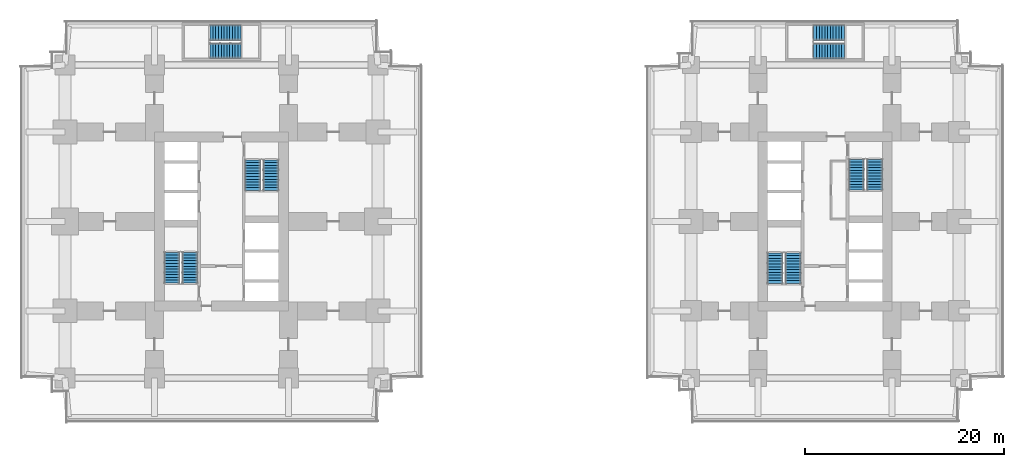
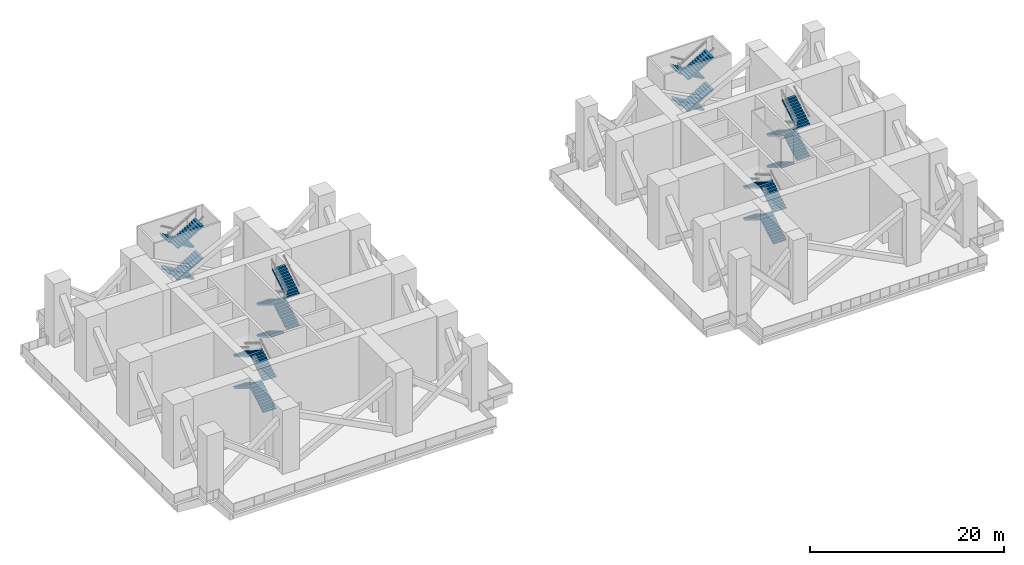
# One storey, part 6 of 12: 24 stair flights, 6 elements without a shape of their own.
"""IFC4 building model written with IfcOpenShell, lengths in metres."""

from ifc_helpers import new_model, si_unit, direction, frame, origin, place, context, subcontext, project, spatial, polyline, outline, extrude, material, type_object, element, aggregate, save


model = new_model("IFC4")

# Units and contexts
model_context = context("Model", 3, precision=1e-05, world=origin(), true_north=direction((0.0, 1.0)))
body_context = subcontext(model_context, "Body", "Model", "MODEL_VIEW")
ifc_project = project(units=[si_unit("LENGTHUNIT", "METRE"), si_unit("AREAUNIT", "SQUARE_METRE"), si_unit("VOLUMEUNIT", "CUBIC_METRE"), si_unit("PLANEANGLEUNIT", "RADIAN"), si_unit("MASSUNIT", "GRAM", prefix="KILO")], contexts=[model_context])

# Site, building, storey
site_placement = place(None, origin())
site = spatial("IfcSite", under=ifc_project, at=site_placement, CompositionType="ELEMENT")
building_placement = place(site_placement, origin())
building = spatial("IfcBuilding", under=site, at=building_placement, Name="Namib Vertical Campus", CompositionType="ELEMENT")
storey_placement = place(building_placement, frame((0.0, 0.0, 77.0)))
storey = spatial("IfcBuildingStorey", under=building, at=storey_placement, Name="L18", CompositionType="ELEMENT", Elevation=77.0)

# Stair, stair flights
ifc_material_1 = material(Name="Concrete C40/50 precast", Category="concrete")
stair_type_1 = type_object("IfcStairType", Name="Exit stair 8000 rise 48 risers 3350 wide", PredefinedType="HALF_TURN_STAIR", material=ifc_material_1)
stair_1_placement = place(storey_placement, origin())
stair_1 = element("IfcStair", 1, at=stair_1_placement, inside=storey, type_object=stair_type_1, Name="Exit stair A-S1 L18", PredefinedType="HALF_TURN_STAIR")
ifc_material_2 = material(Name="Concrete C40/50 precast", Category="concrete")
stair_flight_type_1 = type_object("IfcStairFlightType", Name="Stair flight 12 risers 167 1525 wide", PredefinedType="STRAIGHT", material=ifc_material_2)
stair_flight_1_placement = place(storey_placement, frame((17.08740234375, 14.050048828125, 0.0), z_axis=(0.0, 0.0, 1.0), x_axis=(0.0, 1.0, 0.0)))
stair_flight_1 = element("IfcStairFlight", 2, at=stair_flight_1_placement, type_object=stair_flight_type_1, Name="A-S1 flight 1", NumberOfRisers=12, NumberOfTreads=11, PredefinedType="STRAIGHT", RiserHeight=0.166666667, TreadLength=0.28, context=body_context, shape_type="SweptSolid", body=[
    extrude(outline(polyline([(0.0, 0.0), (0.0, 0.166748046875), (0.280029296875, 0.166748046875), (0.280029296875, 0.333251953125), (0.56005859375, 0.333251953125), (0.56005859375, 0.5), (0.840087890625, 0.5), (0.840087890625, 0.666748046875), (1.1201171875, 0.666748046875), (1.1201171875, 0.833251953125), (1.39990234375, 0.833251953125), (1.39990234375, 1.0), (1.679931640625, 1.0), (1.679931640625, 1.166748046875), (1.9599609375, 1.166748046875), (1.9599609375, 1.333251953125), (2.239990234375, 1.333251953125), (2.239990234375, 1.5), (2.52001953125, 1.5), (2.52001953125, 1.666748046875), (2.800048828125, 1.666748046875), (2.800048828125, 1.833251953125), (3.080078125, 1.833251953125), (3.080078125, 2.0), (3.080078125, 1.658935546875), (0.29296875, 0.0), (0.0, 0.0)])), frame((0.0, 0.762451171875, 0.0), z_axis=(0.0, -1.0, 0.0), x_axis=(1.0, 0.0, 0.0)), (0.0, 0.0, 1.0), 1.52490234375),
])
stair_flight_2_placement = place(storey_placement, frame((15.262451171875, 17.1298828125, 2.0), z_axis=(0.0, 0.0, 1.0), x_axis=(0.0, -1.0, 0.0)))
stair_flight_2 = element("IfcStairFlight", 3, at=stair_flight_2_placement, type_object=stair_flight_type_1, Name="A-S1 flight 2", NumberOfRisers=12, NumberOfTreads=11, PredefinedType="STRAIGHT", RiserHeight=0.166666667, TreadLength=0.28, context=body_context, shape_type="SweptSolid", body=[
    extrude(outline(polyline([(0.0, 0.0), (0.0, 0.166748046875), (0.280029296875, 0.166748046875), (0.280029296875, 0.333251953125), (0.56005859375, 0.333251953125), (0.56005859375, 0.5), (0.840087890625, 0.5), (0.840087890625, 0.666748046875), (1.1201171875, 0.666748046875), (1.1201171875, 0.833251953125), (1.39990234375, 0.833251953125), (1.39990234375, 1.0), (1.679931640625, 1.0), (1.679931640625, 1.166748046875), (1.9599609375, 1.166748046875), (1.9599609375, 1.333251953125), (2.239990234375, 1.333251953125), (2.239990234375, 1.5), (2.52001953125, 1.5), (2.52001953125, 1.666748046875), (2.800048828125, 1.666748046875), (2.800048828125, 1.833251953125), (3.080078125, 1.833251953125), (3.080078125, 2.0), (3.080078125, 1.658935546875), (0.29296875, 0.0), (0.0, 0.0)])), frame((0.0, 0.762451171875, 0.0), z_axis=(0.0, -1.0, 0.0), x_axis=(1.0, 0.0, 0.0)), (0.0, 0.0, 1.0), 1.52490234375),
])
stair_flight_3_placement = place(storey_placement, frame((17.08740234375, 14.050048828125, 4.0), z_axis=(0.0, 0.0, 1.0), x_axis=(0.0, 1.0, 0.0)))
stair_flight_3 = element("IfcStairFlight", 4, at=stair_flight_3_placement, type_object=stair_flight_type_1, Name="A-S1 flight 3", NumberOfRisers=12, NumberOfTreads=11, PredefinedType="STRAIGHT", RiserHeight=0.166666667, TreadLength=0.28, context=body_context, shape_type="SweptSolid", body=[
    extrude(outline(polyline([(0.0, 0.0), (0.0, 0.166748046875), (0.280029296875, 0.166748046875), (0.280029296875, 0.333251953125), (0.56005859375, 0.333251953125), (0.56005859375, 0.5), (0.840087890625, 0.5), (0.840087890625, 0.666748046875), (1.1201171875, 0.666748046875), (1.1201171875, 0.833251953125), (1.39990234375, 0.833251953125), (1.39990234375, 1.0), (1.679931640625, 1.0), (1.679931640625, 1.166748046875), (1.9599609375, 1.166748046875), (1.9599609375, 1.333251953125), (2.239990234375, 1.333251953125), (2.239990234375, 1.5), (2.52001953125, 1.5), (2.52001953125, 1.666748046875), (2.800048828125, 1.666748046875), (2.800048828125, 1.833251953125), (3.080078125, 1.833251953125), (3.080078125, 2.0), (3.080078125, 1.658935546875), (0.29296875, 0.0), (0.0, 0.0)])), frame((0.0, 0.762451171875, 0.0), z_axis=(0.0, -1.0, 0.0), x_axis=(1.0, 0.0, 0.0)), (0.0, 0.0, 1.0), 1.52490234375),
])
stair_flight_4_placement = place(storey_placement, frame((15.262451171875, 17.1298828125, 6.0), z_axis=(0.0, 0.0, 1.0), x_axis=(0.0, -1.0, 0.0)))
stair_flight_4 = element("IfcStairFlight", 5, at=stair_flight_4_placement, type_object=stair_flight_type_1, Name="A-S1 flight 4", NumberOfRisers=12, NumberOfTreads=11, PredefinedType="STRAIGHT", RiserHeight=0.166666667, TreadLength=0.28, context=body_context, shape_type="SweptSolid", body=[
    extrude(outline(polyline([(0.0, 0.0), (0.0, 0.166748046875), (0.280029296875, 0.166748046875), (0.280029296875, 0.333251953125), (0.56005859375, 0.333251953125), (0.56005859375, 0.5), (0.840087890625, 0.5), (0.840087890625, 0.666748046875), (1.1201171875, 0.666748046875), (1.1201171875, 0.833251953125), (1.39990234375, 0.833251953125), (1.39990234375, 1.0), (1.679931640625, 1.0), (1.679931640625, 1.166748046875), (1.9599609375, 1.166748046875), (1.9599609375, 1.333251953125), (2.239990234375, 1.333251953125), (2.239990234375, 1.5), (2.52001953125, 1.5), (2.52001953125, 1.666748046875), (2.800048828125, 1.666748046875), (2.800048828125, 1.833251953125), (3.080078125, 1.833251953125), (3.080078125, 2.0), (3.080078125, 1.658935546875), (0.29296875, 0.0), (0.0, 0.0)])), frame((0.0, 0.762451171875, 0.0), z_axis=(0.0, -1.0, 0.0), x_axis=(1.0, 0.0, 0.0)), (0.0, 0.0, 1.0), 1.52490234375),
])
aggregate(stair_1, [stair_flight_1, stair_flight_2, stair_flight_3, stair_flight_4])

stair_2_placement = place(storey_placement, origin())
stair_2 = element("IfcStair", 6, at=stair_2_placement, inside=storey, type_object=stair_type_1, Name="Exit stair A-S2 L18", PredefinedType="HALF_TURN_STAIR")
stair_flight_5_placement = place(storey_placement, frame((23.41259765625, 26.449951171875, 0.0), z_axis=(0.0, 0.0, 1.0), x_axis=(0.0, -1.0, 0.0)))
stair_flight_5 = element("IfcStairFlight", 7, at=stair_flight_5_placement, type_object=stair_flight_type_1, Name="A-S2 flight 1", NumberOfRisers=12, NumberOfTreads=11, PredefinedType="STRAIGHT", RiserHeight=0.166666667, TreadLength=0.28, context=body_context, shape_type="SweptSolid", body=[
    extrude(outline(polyline([(0.0, 0.0), (0.0, 0.166748046875), (0.280029296875, 0.166748046875), (0.280029296875, 0.333251953125), (0.56005859375, 0.333251953125), (0.56005859375, 0.5), (0.840087890625, 0.5), (0.840087890625, 0.666748046875), (1.1201171875, 0.666748046875), (1.1201171875, 0.833251953125), (1.39990234375, 0.833251953125), (1.39990234375, 1.0), (1.679931640625, 1.0), (1.679931640625, 1.166748046875), (1.9599609375, 1.166748046875), (1.9599609375, 1.333251953125), (2.239990234375, 1.333251953125), (2.239990234375, 1.5), (2.52001953125, 1.5), (2.52001953125, 1.666748046875), (2.800048828125, 1.666748046875), (2.800048828125, 1.833251953125), (3.080078125, 1.833251953125), (3.080078125, 2.0), (3.080078125, 1.658935546875), (0.29296875, 0.0), (0.0, 0.0)])), frame((0.0, 0.762451171875, 0.0), z_axis=(0.0, -1.0, 0.0), x_axis=(1.0, 0.0, 0.0)), (0.0, 0.0, 1.0), 1.52490234375),
])
stair_flight_6_placement = place(storey_placement, frame((25.237548828125, 23.3701171875, 2.0), z_axis=(0.0, 0.0, 1.0), x_axis=(0.0, 1.0, 0.0)))
stair_flight_6 = element("IfcStairFlight", 8, at=stair_flight_6_placement, type_object=stair_flight_type_1, Name="A-S2 flight 2", NumberOfRisers=12, NumberOfTreads=11, PredefinedType="STRAIGHT", RiserHeight=0.166666667, TreadLength=0.28, context=body_context, shape_type="SweptSolid", body=[
    extrude(outline(polyline([(0.0, 0.0), (0.0, 0.166748046875), (0.280029296875, 0.166748046875), (0.280029296875, 0.333251953125), (0.56005859375, 0.333251953125), (0.56005859375, 0.5), (0.840087890625, 0.5), (0.840087890625, 0.666748046875), (1.1201171875, 0.666748046875), (1.1201171875, 0.833251953125), (1.39990234375, 0.833251953125), (1.39990234375, 1.0), (1.679931640625, 1.0), (1.679931640625, 1.166748046875), (1.9599609375, 1.166748046875), (1.9599609375, 1.333251953125), (2.239990234375, 1.333251953125), (2.239990234375, 1.5), (2.52001953125, 1.5), (2.52001953125, 1.666748046875), (2.800048828125, 1.666748046875), (2.800048828125, 1.833251953125), (3.080078125, 1.833251953125), (3.080078125, 2.0), (3.080078125, 1.658935546875), (0.29296875, 0.0), (0.0, 0.0)])), frame((0.0, 0.762451171875, 0.0), z_axis=(0.0, -1.0, 0.0), x_axis=(1.0, 0.0, 0.0)), (0.0, 0.0, 1.0), 1.52490234375),
])
stair_flight_7_placement = place(storey_placement, frame((23.41259765625, 26.449951171875, 4.0), z_axis=(0.0, 0.0, 1.0), x_axis=(0.0, -1.0, 0.0)))
stair_flight_7 = element("IfcStairFlight", 9, at=stair_flight_7_placement, type_object=stair_flight_type_1, Name="A-S2 flight 3", NumberOfRisers=12, NumberOfTreads=11, PredefinedType="STRAIGHT", RiserHeight=0.166666667, TreadLength=0.28, context=body_context, shape_type="SweptSolid", body=[
    extrude(outline(polyline([(0.0, 0.0), (0.0, 0.166748046875), (0.280029296875, 0.166748046875), (0.280029296875, 0.333251953125), (0.56005859375, 0.333251953125), (0.56005859375, 0.5), (0.840087890625, 0.5), (0.840087890625, 0.666748046875), (1.1201171875, 0.666748046875), (1.1201171875, 0.833251953125), (1.39990234375, 0.833251953125), (1.39990234375, 1.0), (1.679931640625, 1.0), (1.679931640625, 1.166748046875), (1.9599609375, 1.166748046875), (1.9599609375, 1.333251953125), (2.239990234375, 1.333251953125), (2.239990234375, 1.5), (2.52001953125, 1.5), (2.52001953125, 1.666748046875), (2.800048828125, 1.666748046875), (2.800048828125, 1.833251953125), (3.080078125, 1.833251953125), (3.080078125, 2.0), (3.080078125, 1.658935546875), (0.29296875, 0.0), (0.0, 0.0)])), frame((0.0, 0.762451171875, 0.0), z_axis=(0.0, -1.0, 0.0), x_axis=(1.0, 0.0, 0.0)), (0.0, 0.0, 1.0), 1.52490234375),
])
stair_flight_8_placement = place(storey_placement, frame((25.237548828125, 23.3701171875, 6.0), z_axis=(0.0, 0.0, 1.0), x_axis=(0.0, 1.0, 0.0)))
stair_flight_8 = element("IfcStairFlight", 10, at=stair_flight_8_placement, type_object=stair_flight_type_1, Name="A-S2 flight 4", NumberOfRisers=12, NumberOfTreads=11, PredefinedType="STRAIGHT", RiserHeight=0.166666667, TreadLength=0.28, context=body_context, shape_type="SweptSolid", body=[
    extrude(outline(polyline([(0.0, 0.0), (0.0, 0.166748046875), (0.280029296875, 0.166748046875), (0.280029296875, 0.333251953125), (0.56005859375, 0.333251953125), (0.56005859375, 0.5), (0.840087890625, 0.5), (0.840087890625, 0.666748046875), (1.1201171875, 0.666748046875), (1.1201171875, 0.833251953125), (1.39990234375, 0.833251953125), (1.39990234375, 1.0), (1.679931640625, 1.0), (1.679931640625, 1.166748046875), (1.9599609375, 1.166748046875), (1.9599609375, 1.333251953125), (2.239990234375, 1.333251953125), (2.239990234375, 1.5), (2.52001953125, 1.5), (2.52001953125, 1.666748046875), (2.800048828125, 1.666748046875), (2.800048828125, 1.833251953125), (3.080078125, 1.833251953125), (3.080078125, 2.0), (3.080078125, 1.658935546875), (0.29296875, 0.0), (0.0, 0.0)])), frame((0.0, 0.762451171875, 0.0), z_axis=(0.0, -1.0, 0.0), x_axis=(1.0, 0.0, 0.0)), (0.0, 0.0, 1.0), 1.52490234375),
])
aggregate(stair_2, [stair_flight_5, stair_flight_6, stair_flight_7, stair_flight_8])

stair_3_placement = place(storey_placement, origin())
stair_3 = element("IfcStair", 11, at=stair_3_placement, inside=storey, type_object=stair_type_1, Name="Exit stair A-S3 L18", PredefinedType="HALF_TURN_STAIR")
stair_flight_9_placement = place(storey_placement, frame((22.199951171875, 39.237548828125, 0.0), z_axis=(0.0, 0.0, 1.0), x_axis=(-1.0, 0.0, 0.0)))
stair_flight_9 = element("IfcStairFlight", 12, at=stair_flight_9_placement, type_object=stair_flight_type_1, Name="A-S3 flight 1", NumberOfRisers=12, NumberOfTreads=11, PredefinedType="STRAIGHT", RiserHeight=0.166666667, TreadLength=0.28, context=body_context, shape_type="SweptSolid", body=[
    extrude(outline(polyline([(0.0, 0.0), (0.0, 0.166748046875), (0.280029296875, 0.166748046875), (0.280029296875, 0.333251953125), (0.56005859375, 0.333251953125), (0.56005859375, 0.5), (0.840087890625, 0.5), (0.840087890625, 0.666748046875), (1.1201171875, 0.666748046875), (1.1201171875, 0.833251953125), (1.39990234375, 0.833251953125), (1.39990234375, 1.0), (1.679931640625, 1.0), (1.679931640625, 1.166748046875), (1.9599609375, 1.166748046875), (1.9599609375, 1.333251953125), (2.239990234375, 1.333251953125), (2.239990234375, 1.5), (2.52001953125, 1.5), (2.52001953125, 1.666748046875), (2.800048828125, 1.666748046875), (2.800048828125, 1.833251953125), (3.080078125, 1.833251953125), (3.080078125, 2.0), (3.080078125, 1.658935546875), (0.29296875, 0.0), (0.0, 0.0)])), frame((0.0, 0.762451171875, 0.0), z_axis=(0.0, -1.0, 0.0), x_axis=(1.0, 0.0, 0.0)), (0.0, 0.0, 1.0), 1.52490234375),
])
stair_flight_10_placement = place(storey_placement, frame((19.1201171875, 37.41259765625, 2.0), z_axis=(0.0, 0.0, 1.0), x_axis=(1.0, 0.0, 0.0)))
stair_flight_10 = element("IfcStairFlight", 13, at=stair_flight_10_placement, type_object=stair_flight_type_1, Name="A-S3 flight 2", NumberOfRisers=12, NumberOfTreads=11, PredefinedType="STRAIGHT", RiserHeight=0.166666667, TreadLength=0.28, context=body_context, shape_type="SweptSolid", body=[
    extrude(outline(polyline([(0.0, 0.0), (0.0, 0.166748046875), (0.280029296875, 0.166748046875), (0.280029296875, 0.333251953125), (0.56005859375, 0.333251953125), (0.56005859375, 0.5), (0.840087890625, 0.5), (0.840087890625, 0.666748046875), (1.1201171875, 0.666748046875), (1.1201171875, 0.833251953125), (1.39990234375, 0.833251953125), (1.39990234375, 1.0), (1.679931640625, 1.0), (1.679931640625, 1.166748046875), (1.9599609375, 1.166748046875), (1.9599609375, 1.333251953125), (2.239990234375, 1.333251953125), (2.239990234375, 1.5), (2.52001953125, 1.5), (2.52001953125, 1.666748046875), (2.800048828125, 1.666748046875), (2.800048828125, 1.833251953125), (3.080078125, 1.833251953125), (3.080078125, 2.0), (3.080078125, 1.658935546875), (0.29296875, 0.0), (0.0, 0.0)])), frame((0.0, 0.762451171875, 0.0), z_axis=(0.0, -1.0, 0.0), x_axis=(1.0, 0.0, 0.0)), (0.0, 0.0, 1.0), 1.52490234375),
])
stair_flight_11_placement = place(storey_placement, frame((22.199951171875, 39.237548828125, 4.0), z_axis=(0.0, 0.0, 1.0), x_axis=(-1.0, 0.0, 0.0)))
stair_flight_11 = element("IfcStairFlight", 14, at=stair_flight_11_placement, type_object=stair_flight_type_1, Name="A-S3 flight 3", NumberOfRisers=12, NumberOfTreads=11, PredefinedType="STRAIGHT", RiserHeight=0.166666667, TreadLength=0.28, context=body_context, shape_type="SweptSolid", body=[
    extrude(outline(polyline([(0.0, 0.0), (0.0, 0.166748046875), (0.280029296875, 0.166748046875), (0.280029296875, 0.333251953125), (0.56005859375, 0.333251953125), (0.56005859375, 0.5), (0.840087890625, 0.5), (0.840087890625, 0.666748046875), (1.1201171875, 0.666748046875), (1.1201171875, 0.833251953125), (1.39990234375, 0.833251953125), (1.39990234375, 1.0), (1.679931640625, 1.0), (1.679931640625, 1.166748046875), (1.9599609375, 1.166748046875), (1.9599609375, 1.333251953125), (2.239990234375, 1.333251953125), (2.239990234375, 1.5), (2.52001953125, 1.5), (2.52001953125, 1.666748046875), (2.800048828125, 1.666748046875), (2.800048828125, 1.833251953125), (3.080078125, 1.833251953125), (3.080078125, 2.0), (3.080078125, 1.658935546875), (0.29296875, 0.0), (0.0, 0.0)])), frame((0.0, 0.762451171875, 0.0), z_axis=(0.0, -1.0, 0.0), x_axis=(1.0, 0.0, 0.0)), (0.0, 0.0, 1.0), 1.52490234375),
])
stair_flight_12_placement = place(storey_placement, frame((19.1201171875, 37.41259765625, 6.0), z_axis=(0.0, 0.0, 1.0), x_axis=(1.0, 0.0, 0.0)))
stair_flight_12 = element("IfcStairFlight", 15, at=stair_flight_12_placement, type_object=stair_flight_type_1, Name="A-S3 flight 4", NumberOfRisers=12, NumberOfTreads=11, PredefinedType="STRAIGHT", RiserHeight=0.166666667, TreadLength=0.28, context=body_context, shape_type="SweptSolid", body=[
    extrude(outline(polyline([(0.0, 0.0), (0.0, 0.166748046875), (0.280029296875, 0.166748046875), (0.280029296875, 0.333251953125), (0.56005859375, 0.333251953125), (0.56005859375, 0.5), (0.840087890625, 0.5), (0.840087890625, 0.666748046875), (1.1201171875, 0.666748046875), (1.1201171875, 0.833251953125), (1.39990234375, 0.833251953125), (1.39990234375, 1.0), (1.679931640625, 1.0), (1.679931640625, 1.166748046875), (1.9599609375, 1.166748046875), (1.9599609375, 1.333251953125), (2.239990234375, 1.333251953125), (2.239990234375, 1.5), (2.52001953125, 1.5), (2.52001953125, 1.666748046875), (2.800048828125, 1.666748046875), (2.800048828125, 1.833251953125), (3.080078125, 1.833251953125), (3.080078125, 2.0), (3.080078125, 1.658935546875), (0.29296875, 0.0), (0.0, 0.0)])), frame((0.0, 0.762451171875, 0.0), z_axis=(0.0, -1.0, 0.0), x_axis=(1.0, 0.0, 0.0)), (0.0, 0.0, 1.0), 1.52490234375),
])
aggregate(stair_3, [stair_flight_9, stair_flight_10, stair_flight_11, stair_flight_12])

ifc_material_3 = material(Name="Concrete C40/50 precast", Category="concrete")
stair_type_2 = type_object("IfcStairType", Name="Exit stair 8000 rise 48 risers 3400 wide", PredefinedType="HALF_TURN_STAIR", material=ifc_material_3)
stair_4_placement = place(storey_placement, origin())
stair_4 = element("IfcStair", 16, at=stair_4_placement, inside=storey, type_object=stair_type_2, Name="Exit stair B-S1 L18", PredefinedType="HALF_TURN_STAIR")
ifc_material_4 = material(Name="Concrete C40/50 precast", Category="concrete")
stair_flight_type_2 = type_object("IfcStairFlightType", Name="Stair flight 12 risers 167 1550 wide", PredefinedType="STRAIGHT", material=ifc_material_4)
stair_flight_13_placement = place(storey_placement, frame((77.824951171875, 14.0, 0.0), z_axis=(0.0, 0.0, 1.0), x_axis=(0.0, 1.0, 0.0)))
stair_flight_13 = element("IfcStairFlight", 17, at=stair_flight_13_placement, type_object=stair_flight_type_2, Name="B-S1 flight 1", NumberOfRisers=12, NumberOfTreads=11, PredefinedType="STRAIGHT", RiserHeight=0.166666667, TreadLength=0.28, context=body_context, shape_type="SweptSolid", body=[
    extrude(outline(polyline([(0.0, 0.0), (0.0, 0.166748046875), (0.280029296875, 0.166748046875), (0.280029296875, 0.333251953125), (0.56005859375, 0.333251953125), (0.56005859375, 0.5), (0.840087890625, 0.5), (0.840087890625, 0.666748046875), (1.1201171875, 0.666748046875), (1.1201171875, 0.833251953125), (1.39990234375, 0.833251953125), (1.39990234375, 1.0), (1.679931640625, 1.0), (1.679931640625, 1.166748046875), (1.9599609375, 1.166748046875), (1.9599609375, 1.333251953125), (2.239990234375, 1.333251953125), (2.239990234375, 1.5), (2.52001953125, 1.5), (2.52001953125, 1.666748046875), (2.800048828125, 1.666748046875), (2.800048828125, 1.833251953125), (3.080078125, 1.833251953125), (3.080078125, 2.0), (3.080078125, 1.658935546875), (0.29296875, 0.0), (0.0, 0.0)])), frame((0.0, 0.77490234375, 0.0), z_axis=(0.0, -1.0, 0.0), x_axis=(1.0, 0.0, 0.0)), (0.0, 0.0, 1.0), 1.550048828125),
])
stair_flight_14_placement = place(storey_placement, frame((75.97509765625, 17.080078125, 2.0), z_axis=(0.0, 0.0, 1.0), x_axis=(0.0, -1.0, 0.0)))
stair_flight_14 = element("IfcStairFlight", 18, at=stair_flight_14_placement, type_object=stair_flight_type_2, Name="B-S1 flight 2", NumberOfRisers=12, NumberOfTreads=11, PredefinedType="STRAIGHT", RiserHeight=0.166666667, TreadLength=0.28, context=body_context, shape_type="SweptSolid", body=[
    extrude(outline(polyline([(0.0, 0.0), (0.0, 0.166748046875), (0.280029296875, 0.166748046875), (0.280029296875, 0.333251953125), (0.56005859375, 0.333251953125), (0.56005859375, 0.5), (0.840087890625, 0.5), (0.840087890625, 0.666748046875), (1.1201171875, 0.666748046875), (1.1201171875, 0.833251953125), (1.39990234375, 0.833251953125), (1.39990234375, 1.0), (1.679931640625, 1.0), (1.679931640625, 1.166748046875), (1.9599609375, 1.166748046875), (1.9599609375, 1.333251953125), (2.239990234375, 1.333251953125), (2.239990234375, 1.5), (2.52001953125, 1.5), (2.52001953125, 1.666748046875), (2.800048828125, 1.666748046875), (2.800048828125, 1.833251953125), (3.080078125, 1.833251953125), (3.080078125, 2.0), (3.080078125, 1.658935546875), (0.29296875, 0.0), (0.0, 0.0)])), frame((0.0, 0.77490234375, 0.0), z_axis=(0.0, -1.0, 0.0), x_axis=(1.0, 0.0, 0.0)), (0.0, 0.0, 1.0), 1.550048828125),
])
stair_flight_15_placement = place(storey_placement, frame((77.824951171875, 14.0, 4.0), z_axis=(0.0, 0.0, 1.0), x_axis=(0.0, 1.0, 0.0)))
stair_flight_15 = element("IfcStairFlight", 19, at=stair_flight_15_placement, type_object=stair_flight_type_2, Name="B-S1 flight 3", NumberOfRisers=12, NumberOfTreads=11, PredefinedType="STRAIGHT", RiserHeight=0.166666667, TreadLength=0.28, context=body_context, shape_type="SweptSolid", body=[
    extrude(outline(polyline([(0.0, 0.0), (0.0, 0.166748046875), (0.280029296875, 0.166748046875), (0.280029296875, 0.333251953125), (0.56005859375, 0.333251953125), (0.56005859375, 0.5), (0.840087890625, 0.5), (0.840087890625, 0.666748046875), (1.1201171875, 0.666748046875), (1.1201171875, 0.833251953125), (1.39990234375, 0.833251953125), (1.39990234375, 1.0), (1.679931640625, 1.0), (1.679931640625, 1.166748046875), (1.9599609375, 1.166748046875), (1.9599609375, 1.333251953125), (2.239990234375, 1.333251953125), (2.239990234375, 1.5), (2.52001953125, 1.5), (2.52001953125, 1.666748046875), (2.800048828125, 1.666748046875), (2.800048828125, 1.833251953125), (3.080078125, 1.833251953125), (3.080078125, 2.0), (3.080078125, 1.658935546875), (0.29296875, 0.0), (0.0, 0.0)])), frame((0.0, 0.77490234375, 0.0), z_axis=(0.0, -1.0, 0.0), x_axis=(1.0, 0.0, 0.0)), (0.0, 0.0, 1.0), 1.550048828125),
])
stair_flight_16_placement = place(storey_placement, frame((75.97509765625, 17.080078125, 6.0), z_axis=(0.0, 0.0, 1.0), x_axis=(0.0, -1.0, 0.0)))
stair_flight_16 = element("IfcStairFlight", 20, at=stair_flight_16_placement, type_object=stair_flight_type_2, Name="B-S1 flight 4", NumberOfRisers=12, NumberOfTreads=11, PredefinedType="STRAIGHT", RiserHeight=0.166666667, TreadLength=0.28, context=body_context, shape_type="SweptSolid", body=[
    extrude(outline(polyline([(0.0, 0.0), (0.0, 0.166748046875), (0.280029296875, 0.166748046875), (0.280029296875, 0.333251953125), (0.56005859375, 0.333251953125), (0.56005859375, 0.5), (0.840087890625, 0.5), (0.840087890625, 0.666748046875), (1.1201171875, 0.666748046875), (1.1201171875, 0.833251953125), (1.39990234375, 0.833251953125), (1.39990234375, 1.0), (1.679931640625, 1.0), (1.679931640625, 1.166748046875), (1.9599609375, 1.166748046875), (1.9599609375, 1.333251953125), (2.239990234375, 1.333251953125), (2.239990234375, 1.5), (2.52001953125, 1.5), (2.52001953125, 1.666748046875), (2.800048828125, 1.666748046875), (2.800048828125, 1.833251953125), (3.080078125, 1.833251953125), (3.080078125, 2.0), (3.080078125, 1.658935546875), (0.29296875, 0.0), (0.0, 0.0)])), frame((0.0, 0.77490234375, 0.0), z_axis=(0.0, -1.0, 0.0), x_axis=(1.0, 0.0, 0.0)), (0.0, 0.0, 1.0), 1.550048828125),
])
aggregate(stair_4, [stair_flight_13, stair_flight_14, stair_flight_15, stair_flight_16])

stair_5_placement = place(storey_placement, origin())
stair_5 = element("IfcStair", 21, at=stair_5_placement, inside=storey, type_object=stair_type_2, Name="Exit stair B-S2 L18", PredefinedType="HALF_TURN_STAIR")
stair_flight_17_placement = place(storey_placement, frame((84.175048828125, 26.5, 0.0), z_axis=(0.0, 0.0, 1.0), x_axis=(0.0, -1.0, 0.0)))
stair_flight_17 = element("IfcStairFlight", 22, at=stair_flight_17_placement, type_object=stair_flight_type_2, Name="B-S2 flight 1", NumberOfRisers=12, NumberOfTreads=11, PredefinedType="STRAIGHT", RiserHeight=0.166666667, TreadLength=0.28, context=body_context, shape_type="SweptSolid", body=[
    extrude(outline(polyline([(0.0, 0.0), (0.0, 0.166748046875), (0.280029296875, 0.166748046875), (0.280029296875, 0.333251953125), (0.56005859375, 0.333251953125), (0.56005859375, 0.5), (0.840087890625, 0.5), (0.840087890625, 0.666748046875), (1.1201171875, 0.666748046875), (1.1201171875, 0.833251953125), (1.39990234375, 0.833251953125), (1.39990234375, 1.0), (1.679931640625, 1.0), (1.679931640625, 1.166748046875), (1.9599609375, 1.166748046875), (1.9599609375, 1.333251953125), (2.239990234375, 1.333251953125), (2.239990234375, 1.5), (2.52001953125, 1.5), (2.52001953125, 1.666748046875), (2.800048828125, 1.666748046875), (2.800048828125, 1.833251953125), (3.080078125, 1.833251953125), (3.080078125, 2.0), (3.080078125, 1.658935546875), (0.29296875, 0.0), (0.0, 0.0)])), frame((0.0, 0.77490234375, 0.0), z_axis=(0.0, -1.0, 0.0), x_axis=(1.0, 0.0, 0.0)), (0.0, 0.0, 1.0), 1.550048828125),
])
stair_flight_18_placement = place(storey_placement, frame((86.02490234375, 23.419921875, 2.0), z_axis=(0.0, 0.0, 1.0), x_axis=(0.0, 1.0, 0.0)))
stair_flight_18 = element("IfcStairFlight", 23, at=stair_flight_18_placement, type_object=stair_flight_type_2, Name="B-S2 flight 2", NumberOfRisers=12, NumberOfTreads=11, PredefinedType="STRAIGHT", RiserHeight=0.166666667, TreadLength=0.28, context=body_context, shape_type="SweptSolid", body=[
    extrude(outline(polyline([(0.0, 0.0), (0.0, 0.166748046875), (0.280029296875, 0.166748046875), (0.280029296875, 0.333251953125), (0.56005859375, 0.333251953125), (0.56005859375, 0.5), (0.840087890625, 0.5), (0.840087890625, 0.666748046875), (1.1201171875, 0.666748046875), (1.1201171875, 0.833251953125), (1.39990234375, 0.833251953125), (1.39990234375, 1.0), (1.679931640625, 1.0), (1.679931640625, 1.166748046875), (1.9599609375, 1.166748046875), (1.9599609375, 1.333251953125), (2.239990234375, 1.333251953125), (2.239990234375, 1.5), (2.52001953125, 1.5), (2.52001953125, 1.666748046875), (2.800048828125, 1.666748046875), (2.800048828125, 1.833251953125), (3.080078125, 1.833251953125), (3.080078125, 2.0), (3.080078125, 1.658935546875), (0.29296875, 0.0), (0.0, 0.0)])), frame((0.0, 0.77490234375, 0.0), z_axis=(0.0, -1.0, 0.0), x_axis=(1.0, 0.0, 0.0)), (0.0, 0.0, 1.0), 1.550048828125),
])
stair_flight_19_placement = place(storey_placement, frame((84.175048828125, 26.5, 4.0), z_axis=(0.0, 0.0, 1.0), x_axis=(0.0, -1.0, 0.0)))
stair_flight_19 = element("IfcStairFlight", 24, at=stair_flight_19_placement, type_object=stair_flight_type_2, Name="B-S2 flight 3", NumberOfRisers=12, NumberOfTreads=11, PredefinedType="STRAIGHT", RiserHeight=0.166666667, TreadLength=0.28, context=body_context, shape_type="SweptSolid", body=[
    extrude(outline(polyline([(0.0, 0.0), (0.0, 0.166748046875), (0.280029296875, 0.166748046875), (0.280029296875, 0.333251953125), (0.56005859375, 0.333251953125), (0.56005859375, 0.5), (0.840087890625, 0.5), (0.840087890625, 0.666748046875), (1.1201171875, 0.666748046875), (1.1201171875, 0.833251953125), (1.39990234375, 0.833251953125), (1.39990234375, 1.0), (1.679931640625, 1.0), (1.679931640625, 1.166748046875), (1.9599609375, 1.166748046875), (1.9599609375, 1.333251953125), (2.239990234375, 1.333251953125), (2.239990234375, 1.5), (2.52001953125, 1.5), (2.52001953125, 1.666748046875), (2.800048828125, 1.666748046875), (2.800048828125, 1.833251953125), (3.080078125, 1.833251953125), (3.080078125, 2.0), (3.080078125, 1.658935546875), (0.29296875, 0.0), (0.0, 0.0)])), frame((0.0, 0.77490234375, 0.0), z_axis=(0.0, -1.0, 0.0), x_axis=(1.0, 0.0, 0.0)), (0.0, 0.0, 1.0), 1.550048828125),
])
stair_flight_20_placement = place(storey_placement, frame((86.02490234375, 23.419921875, 6.0), z_axis=(0.0, 0.0, 1.0), x_axis=(0.0, 1.0, 0.0)))
stair_flight_20 = element("IfcStairFlight", 25, at=stair_flight_20_placement, type_object=stair_flight_type_2, Name="B-S2 flight 4", NumberOfRisers=12, NumberOfTreads=11, PredefinedType="STRAIGHT", RiserHeight=0.166666667, TreadLength=0.28, context=body_context, shape_type="SweptSolid", body=[
    extrude(outline(polyline([(0.0, 0.0), (0.0, 0.166748046875), (0.280029296875, 0.166748046875), (0.280029296875, 0.333251953125), (0.56005859375, 0.333251953125), (0.56005859375, 0.5), (0.840087890625, 0.5), (0.840087890625, 0.666748046875), (1.1201171875, 0.666748046875), (1.1201171875, 0.833251953125), (1.39990234375, 0.833251953125), (1.39990234375, 1.0), (1.679931640625, 1.0), (1.679931640625, 1.166748046875), (1.9599609375, 1.166748046875), (1.9599609375, 1.333251953125), (2.239990234375, 1.333251953125), (2.239990234375, 1.5), (2.52001953125, 1.5), (2.52001953125, 1.666748046875), (2.800048828125, 1.666748046875), (2.800048828125, 1.833251953125), (3.080078125, 1.833251953125), (3.080078125, 2.0), (3.080078125, 1.658935546875), (0.29296875, 0.0), (0.0, 0.0)])), frame((0.0, 0.77490234375, 0.0), z_axis=(0.0, -1.0, 0.0), x_axis=(1.0, 0.0, 0.0)), (0.0, 0.0, 1.0), 1.550048828125),
])
aggregate(stair_5, [stair_flight_17, stair_flight_18, stair_flight_19, stair_flight_20])

stair_6_placement = place(storey_placement, origin())
stair_6 = element("IfcStair", 26, at=stair_6_placement, inside=storey, type_object=stair_type_2, Name="Exit stair B-S3 L18", PredefinedType="HALF_TURN_STAIR")
stair_flight_21_placement = place(storey_placement, frame((82.949951171875, 39.22509765625, 0.0), z_axis=(0.0, 0.0, 1.0), x_axis=(-1.0, 0.0, 0.0)))
stair_flight_21 = element("IfcStairFlight", 27, at=stair_flight_21_placement, type_object=stair_flight_type_2, Name="B-S3 flight 1", NumberOfRisers=12, NumberOfTreads=11, PredefinedType="STRAIGHT", RiserHeight=0.166666667, TreadLength=0.28, context=body_context, shape_type="SweptSolid", body=[
    extrude(outline(polyline([(0.0, 0.0), (0.0, 0.166748046875), (0.280029296875, 0.166748046875), (0.280029296875, 0.333251953125), (0.56005859375, 0.333251953125), (0.56005859375, 0.5), (0.840087890625, 0.5), (0.840087890625, 0.666748046875), (1.1201171875, 0.666748046875), (1.1201171875, 0.833251953125), (1.39990234375, 0.833251953125), (1.39990234375, 1.0), (1.679931640625, 1.0), (1.679931640625, 1.166748046875), (1.9599609375, 1.166748046875), (1.9599609375, 1.333251953125), (2.239990234375, 1.333251953125), (2.239990234375, 1.5), (2.52001953125, 1.5), (2.52001953125, 1.666748046875), (2.800048828125, 1.666748046875), (2.800048828125, 1.833251953125), (3.080078125, 1.833251953125), (3.080078125, 2.0), (3.080078125, 1.658935546875), (0.29296875, 0.0), (0.0, 0.0)])), frame((0.0, 0.77490234375, 0.0), z_axis=(0.0, -1.0, 0.0), x_axis=(1.0, 0.0, 0.0)), (0.0, 0.0, 1.0), 1.550048828125),
])
stair_flight_22_placement = place(storey_placement, frame((79.8701171875, 37.375, 2.0), z_axis=(0.0, 0.0, 1.0), x_axis=(1.0, 0.0, 0.0)))
stair_flight_22 = element("IfcStairFlight", 28, at=stair_flight_22_placement, type_object=stair_flight_type_2, Name="B-S3 flight 2", NumberOfRisers=12, NumberOfTreads=11, PredefinedType="STRAIGHT", RiserHeight=0.166666667, TreadLength=0.28, context=body_context, shape_type="SweptSolid", body=[
    extrude(outline(polyline([(0.0, 0.0), (0.0, 0.166748046875), (0.280029296875, 0.166748046875), (0.280029296875, 0.333251953125), (0.56005859375, 0.333251953125), (0.56005859375, 0.5), (0.840087890625, 0.5), (0.840087890625, 0.666748046875), (1.1201171875, 0.666748046875), (1.1201171875, 0.833251953125), (1.39990234375, 0.833251953125), (1.39990234375, 1.0), (1.679931640625, 1.0), (1.679931640625, 1.166748046875), (1.9599609375, 1.166748046875), (1.9599609375, 1.333251953125), (2.239990234375, 1.333251953125), (2.239990234375, 1.5), (2.52001953125, 1.5), (2.52001953125, 1.666748046875), (2.800048828125, 1.666748046875), (2.800048828125, 1.833251953125), (3.080078125, 1.833251953125), (3.080078125, 2.0), (3.080078125, 1.658935546875), (0.29296875, 0.0), (0.0, 0.0)])), frame((0.0, 0.77490234375, 0.0), z_axis=(0.0, -1.0, 0.0), x_axis=(1.0, 0.0, 0.0)), (0.0, 0.0, 1.0), 1.550048828125),
])
stair_flight_23_placement = place(storey_placement, frame((82.949951171875, 39.22509765625, 4.0), z_axis=(0.0, 0.0, 1.0), x_axis=(-1.0, 0.0, 0.0)))
stair_flight_23 = element("IfcStairFlight", 29, at=stair_flight_23_placement, type_object=stair_flight_type_2, Name="B-S3 flight 3", NumberOfRisers=12, NumberOfTreads=11, PredefinedType="STRAIGHT", RiserHeight=0.166666667, TreadLength=0.28, context=body_context, shape_type="SweptSolid", body=[
    extrude(outline(polyline([(0.0, 0.0), (0.0, 0.166748046875), (0.280029296875, 0.166748046875), (0.280029296875, 0.333251953125), (0.56005859375, 0.333251953125), (0.56005859375, 0.5), (0.840087890625, 0.5), (0.840087890625, 0.666748046875), (1.1201171875, 0.666748046875), (1.1201171875, 0.833251953125), (1.39990234375, 0.833251953125), (1.39990234375, 1.0), (1.679931640625, 1.0), (1.679931640625, 1.166748046875), (1.9599609375, 1.166748046875), (1.9599609375, 1.333251953125), (2.239990234375, 1.333251953125), (2.239990234375, 1.5), (2.52001953125, 1.5), (2.52001953125, 1.666748046875), (2.800048828125, 1.666748046875), (2.800048828125, 1.833251953125), (3.080078125, 1.833251953125), (3.080078125, 2.0), (3.080078125, 1.658935546875), (0.29296875, 0.0), (0.0, 0.0)])), frame((0.0, 0.77490234375, 0.0), z_axis=(0.0, -1.0, 0.0), x_axis=(1.0, 0.0, 0.0)), (0.0, 0.0, 1.0), 1.550048828125),
])
stair_flight_24_placement = place(storey_placement, frame((79.8701171875, 37.375, 6.0), z_axis=(0.0, 0.0, 1.0), x_axis=(1.0, 0.0, 0.0)))
stair_flight_24 = element("IfcStairFlight", 30, at=stair_flight_24_placement, type_object=stair_flight_type_2, Name="B-S3 flight 4", NumberOfRisers=12, NumberOfTreads=11, PredefinedType="STRAIGHT", RiserHeight=0.166666667, TreadLength=0.28, context=body_context, shape_type="SweptSolid", body=[
    extrude(outline(polyline([(0.0, 0.0), (0.0, 0.166748046875), (0.280029296875, 0.166748046875), (0.280029296875, 0.333251953125), (0.56005859375, 0.333251953125), (0.56005859375, 0.5), (0.840087890625, 0.5), (0.840087890625, 0.666748046875), (1.1201171875, 0.666748046875), (1.1201171875, 0.833251953125), (1.39990234375, 0.833251953125), (1.39990234375, 1.0), (1.679931640625, 1.0), (1.679931640625, 1.166748046875), (1.9599609375, 1.166748046875), (1.9599609375, 1.333251953125), (2.239990234375, 1.333251953125), (2.239990234375, 1.5), (2.52001953125, 1.5), (2.52001953125, 1.666748046875), (2.800048828125, 1.666748046875), (2.800048828125, 1.833251953125), (3.080078125, 1.833251953125), (3.080078125, 2.0), (3.080078125, 1.658935546875), (0.29296875, 0.0), (0.0, 0.0)])), frame((0.0, 0.77490234375, 0.0), z_axis=(0.0, -1.0, 0.0), x_axis=(1.0, 0.0, 0.0)), (0.0, 0.0, 1.0), 1.550048828125),
])
aggregate(stair_6, [stair_flight_21, stair_flight_22, stair_flight_23, stair_flight_24])

save(model, "model.ifc")
